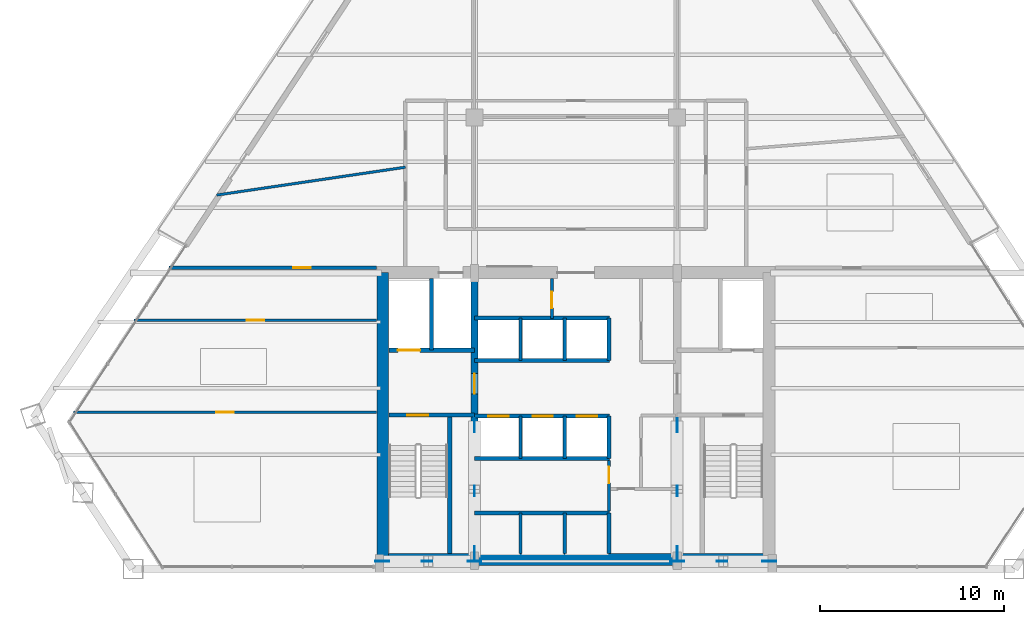
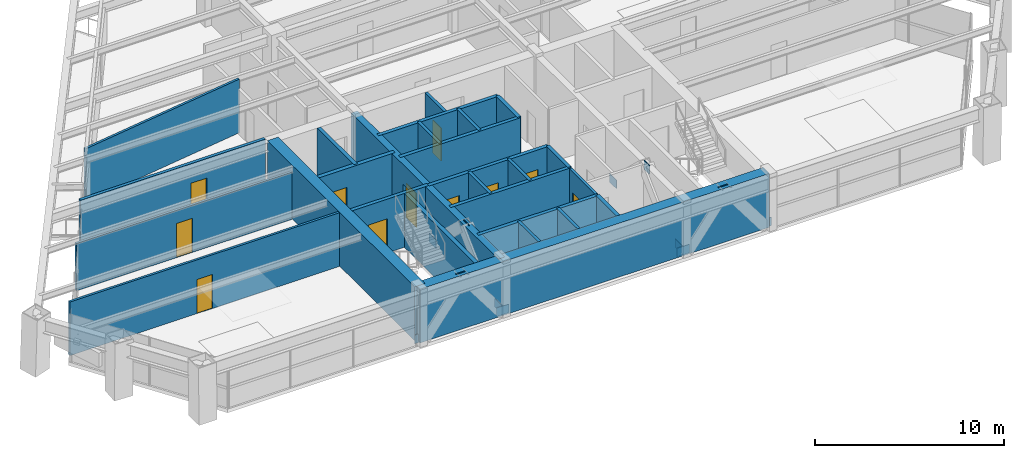
# One storey, part 10 of 14: 27 walls, 12 plates, 11 doors, 11 openings.
"""IFC4 building model written with IfcOpenShell, lengths in metres."""

from ifc_helpers import new_model, si_unit, direction, frame, frame_2d, origin, origin_2d, place, context, subcontext, project, spatial, rectangle, extrude, source, transform, mapped, material, layer, layer_set, type_object, type_shapes, element, fill, save


model = new_model("IFC4")

# Units and contexts
model_context = context("Model", 3, precision=1e-05, world=origin(), true_north=direction((0.0, 1.0)))
body_context = subcontext(model_context, "Body", "Model", "MODEL_VIEW")
ifc_project = project(units=[si_unit("LENGTHUNIT", "METRE"), si_unit("AREAUNIT", "SQUARE_METRE"), si_unit("VOLUMEUNIT", "CUBIC_METRE"), si_unit("PLANEANGLEUNIT", "RADIAN"), si_unit("MASSUNIT", "GRAM", prefix="KILO")], contexts=[model_context])

# Site, building, storey
site_placement = place(None, origin())
site = spatial("IfcSite", under=ifc_project, at=site_placement, CompositionType="ELEMENT")
building_placement = place(site_placement, origin())
building = spatial("IfcBuilding", under=site, at=building_placement, Name="Varnakhor Terracotta Tower", CompositionType="ELEMENT")
storey_placement = place(building_placement, frame((0.0, 0.0, 125.60009765625)))
storey = spatial("IfcBuildingStorey", under=building, at=storey_placement, Name="L31", CompositionType="ELEMENT", Elevation=125.60009765625)

# Plates
ifc_material_1 = material(Name="Steel S460", Category="steel")
ifc_layer_1 = layer(ifc_material_1, 0.050048828125, Name="Steel S460")
ifc_layer_set_1 = layer_set([ifc_layer_1], Name="Steel S460")
plate_type = type_object("IfcPlateType", Name="PLT-GUSSET-50", PredefinedType="USERDEFINED", material=ifc_layer_set_1)
shared_shape_1 = source(origin(), body_context, "Body", "SweptSolid", [
    extrude(rectangle(XDim=0.75, YDim=0.0400390625, at=origin_2d()), origin(), (0.0, 0.0, 1.0), 0.550048828125),
])
type_shapes(plate_type, [shared_shape_1])
for number, where, z_axis, x_axis, name in (
    (1, (-10.5, 0.419921875, -0.09521484375), (0.0, 0.0, 1.0), (1.0, 0.0, 0.0), "L31 Core Brace Embed Plate CSWA"),
    (2, (-5.5, 0.419921875, -0.09521484375), (0.0, 0.0, 1.0), (1.0, 0.0, 0.0), "L31 Core Brace Embed Plate CSWB"),
    (3, (5.5, 0.419921875, -0.09521484375), (0.0, 0.0, 1.0), (1.0, 0.0, 0.0), "L31 Core Brace Embed Plate CSEA"),
    (4, (10.5, 0.419921875, -0.09521484375), (0.0, 0.0, 1.0), (1.0, 0.0, 0.0), "L31 Core Brace Embed Plate CSEB"),
    (5, (-5.5, 0.85009765625, -0.09521484375), (0.0, 0.0, 1.0), (0.0, 1.0, 0.0), "L31 Core Brace Embed Plate CWWA"),
    (6, (-5.5, 7.800048828125, -0.09521484375), (0.0, 0.0, 1.0), (0.0, 1.0, 0.0), "L31 Core Brace Embed Plate CWWB"),
    (7, (5.5, 0.85009765625, -0.09521484375), (0.0, 0.0, 1.0), (0.0, 1.0, 0.0), "L31 Core Brace Embed Plate CWEA"),
    (8, (5.5, 7.800048828125, -0.09521484375), (0.0, 0.0, 1.0), (0.0, 1.0, 0.0), "L31 Core Brace Embed Plate CWEB"),
):
    element("IfcPlate", number, at=place(storey_placement, frame(where, z_axis=z_axis, x_axis=x_axis)), inside=storey, type_object=plate_type, Name=name, ObjectType="GUSSET PLATE", PredefinedType="USERDEFINED", context=body_context, shape_type="MappedRepresentation", body=[
        mapped(shared_shape_1, transform((0.0, 0.0, 0.0), scale=1.0)),
    ])
shared_shape_2 = source(origin(), body_context, "Body", "SweptSolid", [
    extrude(rectangle(XDim=0.580078125, YDim=0.0400390625, at=origin_2d()), origin(), (0.0, 0.0, 1.0), 0.580078125),
])
for number, where, z_axis, x_axis, name in (
    (9, (-8.072265625, 0.419921875, 2.93408203125), (0.0, 0.0, 1.0), (1.0, 0.0, 0.0), "L31 Brace End Connection Plate 112"),
    (10, (7.927734375, 0.419921875, 2.93408203125), (0.0, 0.0, 1.0), (1.0, 0.0, 0.0), "L31 Brace End Connection Plate 113"),
    (11, (-5.5, 4.23828125, 2.947021484375), (0.0, 0.0, 1.0), (0.0, 1.0, 0.0), "L31 Brace End Connection Plate 114"),
    (12, (5.5, 4.23828125, 2.947021484375), (0.0, 0.0, 1.0), (0.0, 1.0, 0.0), "L31 Brace End Connection Plate 115"),
):
    element("IfcPlate", number, at=place(storey_placement, frame(where, z_axis=z_axis, x_axis=x_axis)), inside=storey, type_object=plate_type, Name=name, ObjectType="GUSSET PLATE", PredefinedType="USERDEFINED", context=body_context, shape_type="MappedRepresentation", body=[
        mapped(shared_shape_2, transform((0.0, 0.0, 0.0), scale=1.0)),
    ])

# Walls
ifc_material_2 = material(Name="Concrete C50/60", Category="concrete")
ifc_layer_2 = layer(ifc_material_2, 0.64990234375, Name="Concrete C50/60")
ifc_layer_set_2 = layer_set([ifc_layer_2], Name="Concrete C50/60")
wall_type_1 = type_object("IfcWallType", Name="WAL-CORE-650", PredefinedType="SHEAR", material=ifc_layer_set_2)
wall_1_placement = place(storey_placement, frame((-10.64990234375, 0.52490234375, 0.0), z_axis=(0.0, 0.0, 1.0), x_axis=(1.0, 0.0, 0.0)))
element("IfcWall", 13, at=wall_1_placement, inside=storey, type_object=wall_type_1, Name="L31 South Core Shear Wall", PredefinedType="SHEAR", context=body_context, shape_type="SweptSolid", body=[
    extrude(rectangle(XDim=21.2998046875, YDim=0.64990234375, at=frame_2d((10.64990234375, 0.0))), origin(), (0.0, 0.0, 1.0), 3.469970703125),
])
wall_2_placement = place(storey_placement, frame((-10.47509765625, 0.52490234375, 0.0), z_axis=(0.0, 0.0, 1.0), x_axis=(0.0, 1.0, 0.0)))
element("IfcWall", 14, at=wall_2_placement, inside=storey, type_object=wall_type_1, Name="L31 West Core Shear Wall", PredefinedType="SHEAR", context=body_context, shape_type="SweptSolid", body=[
    extrude(rectangle(XDim=15.550048828125, YDim=0.64990234375, at=frame_2d((7.77490234375, 0.0))), origin(), (0.0, 0.0, 1.0), 3.469970703125),
])

# Wall, opening, door
ifc_layer_3 = layer(ifc_material_2, 0.39990234375, Name="Concrete C50/60")
ifc_layer_set_3 = layer_set([ifc_layer_3], Name="Concrete C50/60")
wall_type_2 = type_object("IfcWallType", Name="WAL-CORE-WEB-400", PredefinedType="SHEAR", material=ifc_layer_set_3)
wall_3_placement = place(storey_placement, frame((-5.5, 0.52490234375, 0.0), z_axis=(0.0, 0.0, 1.0), x_axis=(0.0, 1.0, 0.0)))
wall_3 = element("IfcWall", 15, at=wall_3_placement, inside=storey, type_object=wall_type_2, Name="L31 West Core Web Shear Wall", PredefinedType="SHEAR", context=body_context, shape_type="SweptSolid", body=[
    extrude(rectangle(XDim=15.550048828125, YDim=0.39990234375, at=frame_2d((7.77490234375, 0.0))), origin(), (0.0, 0.0, 1.0), 3.469970703125),
])
opening_1_placement = place(wall_3_placement, frame((8.97509765625, 0.0, 0.0)))
opening_1 = element("IfcOpeningElement", 16, at=opening_1_placement, cuts=wall_3, Name="Opening DR-25", PredefinedType="OPENING", context=body_context, shape_type="SweptSolid", body=[
    extrude(rectangle(XDim=1.10009765625, YDim=2.199951171875, at=frame_2d((0.550048828125, 1.10009765625))), frame((0.0, 0.2099609375, 0.0), z_axis=(0.0, -1.0, 0.0), x_axis=(1.0, 0.0, 0.0)), (0.0, 0.0, 1.0), 0.419921875),
])
ifc_material_3 = material(Name="Firefighting Lobby Self-Closing Fire Door", Category="steel")
door_type_1 = type_object("IfcDoorType", Name="DR-FFL-1100X2200", OperationType="NOTDEFINED", PredefinedType="DOOR", material=ifc_material_3)
shared_shape_3 = source(origin(), body_context, "Body", "SweptSolid", [
    extrude(rectangle(XDim=1.10009765625, YDim=2.199951171875, at=frame_2d((0.550048828125, 1.10009765625))), frame((0.0, 0.02490234375, 0.0), z_axis=(0.0, -1.0, 0.0), x_axis=(1.0, 0.0, 0.0)), (0.0, 0.0, 1.0), 0.050048828125),
])
type_shapes(door_type_1, [shared_shape_3])
door_1_placement = place(opening_1_placement, origin())
door_1 = element("IfcDoor", 17, at=door_1_placement, inside=storey, type_object=door_type_1, Name="L31 West Firefighting Lobby Door", OperationType="SINGLE_SWING_LEFT", OverallHeight=2.199951171875, OverallWidth=1.10009765625, PredefinedType="DOOR", context=body_context, shape_type="MappedRepresentation", body=[
    mapped(shared_shape_3, transform((0.0, 0.0, 0.0), scale=1.0)),
])
fill(opening_1, door_1)

ifc_material_4 = material(Name="Fire-Rated Gypsum Stud Partition", Category="gypsum")
ifc_layer_4 = layer(ifc_material_4, 0.18505859375, Name="Fire-Rated Gypsum Stud Partition")
ifc_layer_set_4 = layer_set([ifc_layer_4], Name="Fire-Rated Gypsum Stud Partition")
wall_type_3 = type_object("IfcWallType", Name="WAL-CORR-185", PredefinedType="PARTITIONING", material=ifc_layer_set_4)
wall_4_placement = place(storey_placement, frame((-22.0830078125, 16.35009765625, 0.0), z_axis=(0.0, 0.0, 1.0), x_axis=(1.0, 0.0, 0.0)))
wall_4 = element("IfcWall", 18, at=wall_4_placement, inside=storey, type_object=wall_type_3, Name="L31 South West Entry Wall", PredefinedType="PARTITIONING", context=body_context, shape_type="SweptSolid", body=[
    extrude(rectangle(XDim=11.262939453125, YDim=0.18505859375, at=frame_2d((5.63134765625, 0.0))), origin(), (0.0, 0.0, 1.0), 3.4619140625),
])
opening_2_placement = place(wall_4_placement, frame((6.743896484375, 0.0, 0.0)))
opening_2 = element("IfcOpeningElement", 19, at=opening_2_placement, cuts=wall_4, Name="Opening DR-94", PredefinedType="OPENING", context=body_context, shape_type="SweptSolid", body=[
    extrude(rectangle(XDim=0.949951171875, YDim=2.199951171875, at=frame_2d((0.47509765625, 1.10009765625))), frame((0.0, 0.1025390625, 0.0), z_axis=(0.0, -1.0, 0.0), x_axis=(1.0, 0.0, 0.0)), (0.0, 0.0, 1.0), 0.205078125),
])
ifc_material_5 = material(Name="Acoustic Glazed-Vision Timber Office Door", Category="wood")
door_type_2 = type_object("IfcDoorType", Name="DR-OFF-950X2200", OperationType="NOTDEFINED", PredefinedType="DOOR", material=ifc_material_5)
shared_shape_4 = source(origin(), body_context, "Body", "SweptSolid", [
    extrude(rectangle(XDim=0.949951171875, YDim=2.199951171875, at=frame_2d((0.47509765625, 1.10009765625))), frame((0.0, 0.02490234375, 0.0), z_axis=(0.0, -1.0, 0.0), x_axis=(1.0, 0.0, 0.0)), (0.0, 0.0, 1.0), 0.050048828125),
])
type_shapes(door_type_2, [shared_shape_4])
door_2_placement = place(opening_2_placement, origin())
door_2 = element("IfcDoor", 20, at=door_2_placement, inside=storey, type_object=door_type_2, Name="L31 SW Suite Door", OperationType="SINGLE_SWING_RIGHT", OverallHeight=2.199951171875, OverallWidth=0.949951171875, PredefinedType="DOOR", context=body_context, shape_type="MappedRepresentation", body=[
    mapped(shared_shape_4, transform((0.0, 0.0, 0.0), scale=1.0)),
])
fill(opening_2, door_2)

ifc_material_6 = material(Name="Concrete C40/50", Category="concrete")
ifc_layer_5 = layer(ifc_material_6, 0.219970703125, Name="Concrete C40/50")
ifc_layer_set_5 = layer_set([ifc_layer_5], Name="Concrete C40/50")
wall_type_4 = type_object("IfcWallType", Name="WAL-FFLOBBY-220", PredefinedType="SOLIDWALL", material=ifc_layer_set_5)
wall_5_placement = place(storey_placement, frame((-5.5, 8.35009765625, 0.0), z_axis=(0.0, 0.0, 1.0), x_axis=(-1.0, 0.0, 0.0)))
wall_5 = element("IfcWall", 21, at=wall_5_placement, inside=storey, type_object=wall_type_4, Name="L31 West Firefighting Lobby Stair Wall", PredefinedType="SOLIDWALL", context=body_context, shape_type="SweptSolid", body=[
    extrude(rectangle(XDim=4.64990234375, YDim=0.219970703125, at=frame_2d((2.324951171875, 0.0))), origin(), (0.0, 0.0, 1.0), 3.469970703125),
])
opening_3_placement = place(wall_5_placement, frame((2.5, 0.0, 0.0)))
opening_3 = element("IfcOpeningElement", 22, at=opening_3_placement, cuts=wall_5, Name="Opening DR-34", PredefinedType="OPENING", context=body_context, shape_type="SweptSolid", body=[
    extrude(rectangle(XDim=1.14990234375, YDim=2.199951171875, at=frame_2d((0.574951171875, 1.10009765625))), frame((0.0, 0.1201171875, 0.0), z_axis=(0.0, -1.0, 0.0), x_axis=(1.0, 0.0, 0.0)), (0.0, 0.0, 1.0), 0.239990234375),
])
ifc_material_7 = material(Name="Self-Closing Smoke-Sealed Steel Fire Door", Category="steel")
door_type_3 = type_object("IfcDoorType", Name="DR-STAIR-1150X2200", OperationType="NOTDEFINED", PredefinedType="DOOR", material=ifc_material_7)
shared_shape_5 = source(origin(), body_context, "Body", "SweptSolid", [
    extrude(rectangle(XDim=1.14990234375, YDim=2.199951171875, at=frame_2d((0.574951171875, 1.10009765625))), frame((0.0, 0.02490234375, 0.0), z_axis=(0.0, -1.0, 0.0), x_axis=(1.0, 0.0, 0.0)), (0.0, 0.0, 1.0), 0.050048828125),
])
type_shapes(door_type_3, [shared_shape_5])
door_3_placement = place(opening_3_placement, origin())
door_3 = element("IfcDoor", 23, at=door_3_placement, inside=storey, type_object=door_type_3, Name="L31 Exit Stair ST-1 Fire Door", OperationType="SINGLE_SWING_RIGHT", OverallHeight=2.199951171875, OverallWidth=1.14990234375, PredefinedType="DOOR", context=body_context, shape_type="MappedRepresentation", body=[
    mapped(shared_shape_5, transform((0.0, 0.0, 0.0), scale=1.0)),
])
fill(opening_3, door_3)

ifc_material_8 = material(Name="Acoustic Metal-Stud Partition", Category="gypsum")
ifc_layer_6 = layer(ifc_material_8, 0.139892578125, Name="Acoustic Metal-Stud Partition")
ifc_layer_set_6 = layer_set([ifc_layer_6], Name="Acoustic Metal-Stud Partition")
wall_type_5 = type_object("IfcWallType", Name="WAL-PART-140", PredefinedType="PARTITIONING", material=ifc_layer_set_6)
wall_6_placement = place(storey_placement, frame((-27.257568359375, 8.5, 0.0), z_axis=(0.0, 0.0, 1.0), x_axis=(1.0, 0.0, 0.0)))
wall_6 = element("IfcWall", 24, at=wall_6_placement, inside=storey, type_object=wall_type_5, Name="L31 West Wing Cut 1", PredefinedType="PARTITIONING", context=body_context, shape_type="SweptSolid", body=[
    extrude(rectangle(XDim=16.4375, YDim=0.139892578125, at=frame_2d((8.21875, 0.0))), origin(), (0.0, 0.0, 1.0), 3.4619140625),
])
opening_4_placement = place(wall_6_placement, frame((7.754150390625, 0.0, 0.0)))
opening_4 = element("IfcOpeningElement", 25, at=opening_4_placement, cuts=wall_6, Name="Opening DR-94", PredefinedType="OPENING", context=body_context, shape_type="SweptSolid", body=[
    extrude(rectangle(XDim=0.949951171875, YDim=2.199951171875, at=frame_2d((0.47509765625, 1.10009765625))), frame((0.0, 0.080078125, 0.0), z_axis=(0.0, -1.0, 0.0), x_axis=(1.0, 0.0, 0.0)), (0.0, 0.0, 1.0), 0.159912109375),
])
door_4_placement = place(opening_4_placement, origin())
door_4 = element("IfcDoor", 26, at=door_4_placement, inside=storey, type_object=door_type_2, Name="L31 Admin Office 5 Door", OperationType="SINGLE_SWING_RIGHT", OverallHeight=2.199951171875, OverallWidth=0.949951171875, PredefinedType="DOOR", context=body_context, shape_type="MappedRepresentation", body=[
    mapped(shared_shape_4, transform((0.0, 0.0, 0.0), scale=1.0)),
])
fill(opening_4, door_4)

wall_7_placement = place(storey_placement, frame((-23.961669921875, 13.5, 0.0), z_axis=(0.0, 0.0, 1.0), x_axis=(1.0, 0.0, 0.0)))
wall_7 = element("IfcWall", 27, at=wall_7_placement, inside=storey, type_object=wall_type_5, Name="L31 West Wing Cut 2", PredefinedType="PARTITIONING", context=body_context, shape_type="SweptSolid", body=[
    extrude(rectangle(XDim=13.1416015625, YDim=0.139892578125, at=frame_2d((6.57080078125, 0.0))), origin(), (0.0, 0.0, 1.0), 3.048828125),
])
opening_5_placement = place(wall_7_placement, frame((6.106201171875, 0.0, 0.0)))
opening_5 = element("IfcOpeningElement", 28, at=opening_5_placement, cuts=wall_7, Name="Opening DR-94", PredefinedType="OPENING", context=body_context, shape_type="SweptSolid", body=[
    extrude(rectangle(XDim=0.949951171875, YDim=2.199951171875, at=frame_2d((0.47509765625, 1.10009765625))), frame((0.0, 0.080078125, 0.0), z_axis=(0.0, -1.0, 0.0), x_axis=(1.0, 0.0, 0.0)), (0.0, 0.0, 1.0), 0.159912109375),
])
door_5_placement = place(opening_5_placement, origin())
door_5 = element("IfcDoor", 29, at=door_5_placement, inside=storey, type_object=door_type_2, Name="L31 Corporate Office E2 B3 Door", OperationType="SINGLE_SWING_LEFT", OverallHeight=2.199951171875, OverallWidth=0.949951171875, PredefinedType="DOOR", context=body_context, shape_type="MappedRepresentation", body=[
    mapped(shared_shape_4, transform((0.0, 0.0, 0.0), scale=1.0)),
])
fill(opening_5, door_5)

# Walls
wall_8_placement = place(storey_placement, frame((-19.48681640625, 20.288330078125, 0.0), z_axis=(0.0, 0.0, 1.0), x_axis=(0.989271254503, 0.146090331693, 0.0)))
element("IfcWall", 30, at=wall_8_placement, inside=storey, type_object=wall_type_5, Name="L31 West Wing Cut 3", PredefinedType="PARTITIONING", context=body_context, shape_type="SweptSolid", body=[
    extrude(rectangle(XDim=10.347900390625, YDim=0.139892578125, at=frame_2d((5.173828125, 0.0))), origin(), (0.0, 0.0, 1.0), 3.4619140625),
])
ifc_layer_7 = layer(ifc_material_6, 0.179931640625, Name="Concrete C40/50")
ifc_layer_set_7 = layer_set([ifc_layer_7], Name="Concrete C40/50")
wall_type_6 = type_object("IfcWallType", Name="WAL-SHAFT-180", PredefinedType="SOLIDWALL", material=ifc_layer_set_7)
for number, where, z_axis, x_axis, name in (
    (31, (-3.0, 0.85009765625, 0.0), (0.0, 0.0, 1.0), (0.0, 1.0, 0.0), "L31 PL-1A Divider"),
    (32, (-0.60009765625, 0.85009765625, 0.0), (0.0, 0.0, 1.0), (0.0, 1.0, 0.0), "L31 PL-1B Divider"),
):
    element("IfcWall", number, at=place(storey_placement, frame(where, z_axis=z_axis, x_axis=x_axis)), inside=storey, type_object=wall_type_6, Name=name, PredefinedType="SOLIDWALL", context=body_context, shape_type="SweptSolid", body=[
        extrude(rectangle(XDim=2.199951171875, YDim=0.179931640625, at=frame_2d((1.10009765625, 0.0))), origin(), (0.0, 0.0, 1.0), 3.469970703125),
    ])
for number, where, z_axis, x_axis, name in (
    (33, (-3.0, 6.0, 0.0), (0.0, 0.0, 1.0), (0.0, 1.0, 0.0), "L31 PL-2A Divider"),
    (34, (-0.60009765625, 6.0, 0.0), (0.0, 0.0, 1.0), (0.0, 1.0, 0.0), "L31 PL-2B Divider"),
    (35, (-3.0, 11.320068359375, 0.0), (0.0, 0.0, 1.0), (0.0, 1.0, 0.0), "L31 PL-3A Divider"),
    (36, (-0.60009765625, 11.320068359375, 0.0), (0.0, 0.0, 1.0), (0.0, 1.0, 0.0), "L31 PL-3B Divider"),
):
    element("IfcWall", number, at=place(storey_placement, frame(where, z_axis=z_axis, x_axis=x_axis)), inside=storey, type_object=wall_type_6, Name=name, PredefinedType="SOLIDWALL", context=body_context, shape_type="SweptSolid", body=[
        extrude(rectangle(XDim=2.300048828125, YDim=0.179931640625, at=frame_2d((1.14990234375, 0.0))), origin(), (0.0, 0.0, 1.0), 3.469970703125),
    ])
ifc_layer_8 = layer(ifc_material_6, 0.219970703125, Name="Concrete C40/50")
ifc_layer_set_8 = layer_set([ifc_layer_8], Name="Concrete C40/50")
wall_type_7 = type_object("IfcWallType", Name="WAL-SHAFT-220", PredefinedType="SOLIDWALL", material=ifc_layer_set_8)
wall_9_placement = place(storey_placement, frame((-7.840087890625, 11.8701171875, 0.0), z_axis=(0.0, 0.0, 1.0), x_axis=(0.0, 1.0, 0.0)))
element("IfcWall", 37, at=wall_9_placement, inside=storey, type_object=wall_type_7, Name="L31 Lift FFL-1 and SVL-1 Divider Wall", PredefinedType="SOLIDWALL", context=body_context, shape_type="SweptSolid", body=[
    extrude(rectangle(XDim=3.8798828125, YDim=0.219970703125, at=frame_2d((1.93994140625, 0.0))), origin(), (0.0, 0.0, 1.0), 3.469970703125),
])
wall_10_placement = place(storey_placement, frame((-5.5, 3.050048828125, 0.0), z_axis=(0.0, 0.0, 1.0), x_axis=(1.0, 0.0, 0.0)))
element("IfcWall", 38, at=wall_10_placement, inside=storey, type_object=wall_type_7, Name="L31 Bank 1 Lift Shaft Wall", PredefinedType="SOLIDWALL", context=body_context, shape_type="SweptSolid", body=[
    extrude(rectangle(XDim=7.320068359375, YDim=0.219970703125, at=frame_2d((3.66015625, 0.0))), origin(), (0.0, 0.0, 1.0), 3.469970703125),
])
wall_11_placement = place(storey_placement, frame((1.800048828125, 0.85009765625, 0.0), z_axis=(0.0, 0.0, 1.0), x_axis=(0.0, 1.0, 0.0)))
element("IfcWall", 39, at=wall_11_placement, inside=storey, type_object=wall_type_7, Name="L31 Bank 1 East Shaft Wall", PredefinedType="SOLIDWALL", context=body_context, shape_type="SweptSolid", body=[
    extrude(rectangle(XDim=2.199951171875, YDim=0.219970703125, at=frame_2d((1.10009765625, 0.0))), origin(), (0.0, 0.0, 1.0), 3.469970703125),
])
wall_12_placement = place(storey_placement, frame((-5.5, 6.0, 0.0), z_axis=(0.0, 0.0, 1.0), x_axis=(1.0, 0.0, 0.0)))
element("IfcWall", 40, at=wall_12_placement, inside=storey, type_object=wall_type_7, Name="L31 Bank 2 South Shaft Wall", PredefinedType="SOLIDWALL", context=body_context, shape_type="SweptSolid", body=[
    extrude(rectangle(XDim=7.320068359375, YDim=0.219970703125, at=frame_2d((3.66015625, 0.0))), origin(), (0.0, 0.0, 1.0), 3.469970703125),
])

# Wall, openings, doors
wall_13_placement = place(storey_placement, frame((-5.5, 8.300048828125, 0.0), z_axis=(0.0, 0.0, 1.0), x_axis=(1.0, 0.0, 0.0)))
wall_13 = element("IfcWall", 41, at=wall_13_placement, inside=storey, type_object=wall_type_7, Name="L31 Bank 2 North Shaft Wall", PredefinedType="SOLIDWALL", context=body_context, shape_type="SweptSolid", body=[
    extrude(rectangle(XDim=7.320068359375, YDim=0.219970703125, at=frame_2d((3.66015625, 0.0))), origin(), (0.0, 0.0, 1.0), 3.469970703125),
])
opening_6_placement = place(wall_13_placement, frame((0.75, 0.0, 0.0)))
opening_6 = element("IfcOpeningElement", 42, at=opening_6_placement, cuts=wall_13, Name="Opening LD-01", PredefinedType="OPENING", context=body_context, shape_type="SweptSolid", body=[
    extrude(rectangle(XDim=1.10009765625, YDim=2.199951171875, at=frame_2d((0.550048828125, 1.10009765625))), frame((0.0, 0.1201171875, 0.0), z_axis=(0.0, -1.0, 0.0), x_axis=(1.0, 0.0, 0.0)), (0.0, 0.0, 1.0), 0.239990234375),
])
opening_7_placement = place(wall_13_placement, frame((3.14990234375, 0.0, 0.0)))
opening_7 = element("IfcOpeningElement", 43, at=opening_7_placement, cuts=wall_13, Name="Opening LD-01", PredefinedType="OPENING", context=body_context, shape_type="SweptSolid", body=[
    extrude(rectangle(XDim=1.10009765625, YDim=2.199951171875, at=frame_2d((0.550048828125, 1.10009765625))), frame((0.0, 0.1201171875, 0.0), z_axis=(0.0, -1.0, 0.0), x_axis=(1.0, 0.0, 0.0)), (0.0, 0.0, 1.0), 0.239990234375),
])
opening_8_placement = place(wall_13_placement, frame((5.550048828125, 0.0, 0.0)))
opening_8 = element("IfcOpeningElement", 44, at=opening_8_placement, cuts=wall_13, Name="Opening LD-01", PredefinedType="OPENING", context=body_context, shape_type="SweptSolid", body=[
    extrude(rectangle(XDim=1.10009765625, YDim=2.199951171875, at=frame_2d((0.550048828125, 1.10009765625))), frame((0.0, 0.1201171875, 0.0), z_axis=(0.0, -1.0, 0.0), x_axis=(1.0, 0.0, 0.0)), (0.0, 0.0, 1.0), 0.239990234375),
])
ifc_material_9 = material(Name="Brushed Stainless Steel Sliding Lift Landing Door", Category="steel")
door_type_4 = type_object("IfcDoorType", Name="LD-PASS-1100X2200", OperationType="NOTDEFINED", PredefinedType="DOOR", material=ifc_material_9)
shared_shape_6 = source(origin(), body_context, "Body", "SweptSolid", [
    extrude(rectangle(XDim=1.10009765625, YDim=2.199951171875, at=frame_2d((0.550048828125, 1.10009765625))), frame((0.0, 0.02490234375, 0.0), z_axis=(0.0, -1.0, 0.0), x_axis=(1.0, 0.0, 0.0)), (0.0, 0.0, 1.0), 0.050048828125),
])
type_shapes(door_type_4, [shared_shape_6])
door_6_placement = place(opening_6_placement, origin())
door_6 = element("IfcDoor", 45, at=door_6_placement, inside=storey, type_object=door_type_4, Name="L31 Passenger Lift PL-2A Landing Door", OperationType="SLIDING_TO_LEFT", OverallHeight=2.199951171875, OverallWidth=1.10009765625, PredefinedType="DOOR", context=body_context, shape_type="MappedRepresentation", body=[
    mapped(shared_shape_6, transform((0.0, 0.0, 0.0), scale=1.0)),
])
fill(opening_6, door_6)
door_7_placement = place(opening_7_placement, origin())
door_7 = element("IfcDoor", 46, at=door_7_placement, inside=storey, type_object=door_type_4, Name="L31 Passenger Lift PL-2B Landing Door", OperationType="SLIDING_TO_LEFT", OverallHeight=2.199951171875, OverallWidth=1.10009765625, PredefinedType="DOOR", context=body_context, shape_type="MappedRepresentation", body=[
    mapped(shared_shape_6, transform((0.0, 0.0, 0.0), scale=1.0)),
])
fill(opening_7, door_7)
door_8_placement = place(opening_8_placement, origin())
door_8 = element("IfcDoor", 47, at=door_8_placement, inside=storey, type_object=door_type_4, Name="L31 Passenger Lift PL-2C Landing Door", OperationType="SLIDING_TO_LEFT", OverallHeight=2.199951171875, OverallWidth=1.10009765625, PredefinedType="DOOR", context=body_context, shape_type="MappedRepresentation", body=[
    mapped(shared_shape_6, transform((0.0, 0.0, 0.0), scale=1.0)),
])
fill(opening_8, door_8)

# Walls
wall_14_placement = place(storey_placement, frame((1.800048828125, 6.0, 0.0), z_axis=(0.0, 0.0, 1.0), x_axis=(0.0, 1.0, 0.0)))
element("IfcWall", 48, at=wall_14_placement, inside=storey, type_object=wall_type_7, Name="L31 Bank 2 East Shaft Wall", PredefinedType="SOLIDWALL", context=body_context, shape_type="SweptSolid", body=[
    extrude(rectangle(XDim=2.300048828125, YDim=0.219970703125, at=frame_2d((1.14990234375, 0.0))), origin(), (0.0, 0.0, 1.0), 3.469970703125),
])
for number, where, z_axis, x_axis, name in (
    (49, (-5.5, 11.320068359375, 0.0), (0.0, 0.0, 1.0), (1.0, 0.0, 0.0), "L31 Bank 3 South Shaft Wall"),
    (50, (-5.5, 13.6201171875, 0.0), (0.0, 0.0, 1.0), (1.0, 0.0, 0.0), "L31 Bank 3 North Shaft Wall"),
):
    element("IfcWall", number, at=place(storey_placement, frame(where, z_axis=z_axis, x_axis=x_axis)), inside=storey, type_object=wall_type_7, Name=name, PredefinedType="SOLIDWALL", context=body_context, shape_type="SweptSolid", body=[
        extrude(rectangle(XDim=7.320068359375, YDim=0.219970703125, at=frame_2d((3.66015625, 0.0))), origin(), (0.0, 0.0, 1.0), 3.469970703125),
    ])
wall_15_placement = place(storey_placement, frame((1.800048828125, 11.320068359375, 0.0), z_axis=(0.0, 0.0, 1.0), x_axis=(0.0, 1.0, 0.0)))
element("IfcWall", 51, at=wall_15_placement, inside=storey, type_object=wall_type_7, Name="L31 Bank 3 East Shaft Wall", PredefinedType="SOLIDWALL", context=body_context, shape_type="SweptSolid", body=[
    extrude(rectangle(XDim=2.300048828125, YDim=0.219970703125, at=frame_2d((1.14990234375, 0.0))), origin(), (0.0, 0.0, 1.0), 3.469970703125),
])
ifc_layer_9 = layer(ifc_material_6, 0.25, Name="Concrete C40/50")
ifc_layer_set_9 = layer_set([ifc_layer_9], Name="Concrete C40/50")
wall_type_8 = type_object("IfcWallType", Name="WAL-SHAFT-250", PredefinedType="SOLIDWALL", material=ifc_layer_set_9)
wall_16_placement = place(storey_placement, frame((-6.85009765625, 0.85009765625, 0.0), z_axis=(0.0, 0.0, 1.0), x_axis=(0.0, 1.0, 0.0)))
element("IfcWall", 52, at=wall_16_placement, inside=storey, type_object=wall_type_8, Name="L31 Stair ST-1 Bearing Shaft Wall", PredefinedType="SOLIDWALL", context=body_context, shape_type="SweptSolid", body=[
    extrude(rectangle(XDim=7.5, YDim=0.25, at=frame_2d((3.75, 0.0))), origin(), (0.0, 0.0, 1.0), 3.469970703125),
])

# Wall, opening, door
wall_17_placement = place(storey_placement, frame((-5.5, 11.8701171875, 0.0), z_axis=(0.0, 0.0, 1.0), x_axis=(-1.0, 0.0, 0.0)))
wall_17 = element("IfcWall", 53, at=wall_17_placement, inside=storey, type_object=wall_type_8, Name="L31 Lift FFL-1 Shaft Front Wall", PredefinedType="SOLIDWALL", context=body_context, shape_type="SweptSolid", body=[
    extrude(rectangle(XDim=4.64990234375, YDim=0.25, at=frame_2d((2.324951171875, 0.0))), origin(), (0.0, 0.0, 1.0), 3.469970703125),
])
opening_9_placement = place(wall_17_placement, frame((2.949951171875, 0.0, 0.0)))
opening_9 = element("IfcOpeningElement", 54, at=opening_9_placement, cuts=wall_17, Name="Opening LD-02", PredefinedType="OPENING", context=body_context, shape_type="SweptSolid", body=[
    extrude(rectangle(XDim=1.199951171875, YDim=2.25, at=frame_2d((0.60009765625, 1.125))), frame((0.0, 0.135009765625, 0.0), z_axis=(0.0, -1.0, 0.0), x_axis=(1.0, 0.0, 0.0)), (0.0, 0.0, 1.0), 0.27001953125),
])
ifc_material_10 = material(Name="Firefighting Stretcher Sliding Lift Landing Door", Category="steel")
door_type_5 = type_object("IfcDoorType", Name="LD-FFL-1200X2250", OperationType="NOTDEFINED", PredefinedType="DOOR", material=ifc_material_10)
shared_shape_7 = source(origin(), body_context, "Body", "SweptSolid", [
    extrude(rectangle(XDim=1.199951171875, YDim=2.25, at=frame_2d((0.60009765625, 1.125))), frame((0.0, 0.02490234375, 0.0), z_axis=(0.0, -1.0, 0.0), x_axis=(1.0, 0.0, 0.0)), (0.0, 0.0, 1.0), 0.050048828125),
])
type_shapes(door_type_5, [shared_shape_7])
door_9_placement = place(opening_9_placement, origin())
door_9 = element("IfcDoor", 55, at=door_9_placement, inside=storey, type_object=door_type_5, Name="L31 Firefighting Lift FFL-1 Landing Door", OperationType="SLIDING_TO_LEFT", OverallHeight=2.25, OverallWidth=1.199951171875, PredefinedType="DOOR", context=body_context, shape_type="MappedRepresentation", body=[
    mapped(shared_shape_7, transform((0.0, 0.0, 0.0), scale=1.0)),
])
fill(opening_9, door_9)

ifc_material_11 = material(Name="Acoustic Fire-Rated Partition", Category="gypsum")
ifc_layer_10 = layer(ifc_material_11, 0.1650390625, Name="Acoustic Fire-Rated Partition")
ifc_layer_set_10 = layer_set([ifc_layer_10], Name="Acoustic Fire-Rated Partition")
wall_type_9 = type_object("IfcWallType", Name="WAL-TENANCY-165", PredefinedType="PARTITIONING", material=ifc_layer_set_10)
wall_18_placement = place(storey_placement, frame((1.800048828125, 3.159912109375, 0.0), z_axis=(0.0, 0.0, 1.0), x_axis=(0.0, 1.0, 0.0)))
wall_18 = element("IfcWall", 56, at=wall_18_placement, inside=storey, type_object=wall_type_9, Name="L31 Core Rated Service Wall", PredefinedType="PARTITIONING", context=body_context, shape_type="SweptSolid", body=[
    extrude(rectangle(XDim=2.719970703125, YDim=0.1650390625, at=frame_2d((1.35986328125, 0.0))), origin(), (0.0, 0.0, 1.0), 3.4619140625),
])
opening_10_placement = place(wall_18_placement, frame((1.5, 0.0, 0.0)))
opening_10 = element("IfcOpeningElement", 57, at=opening_10_placement, cuts=wall_18, Name="Opening DR-67", PredefinedType="OPENING", context=body_context, shape_type="SweptSolid", body=[
    extrude(rectangle(XDim=0.89990234375, YDim=2.10009765625, at=frame_2d((0.449951171875, 1.050048828125))), frame((0.0, 0.092529296875, 0.0), z_axis=(0.0, -1.0, 0.0), x_axis=(1.0, 0.0, 0.0)), (0.0, 0.0, 1.0), 0.18505859375),
])
ifc_material_12 = material(Name="Steel Service Riser Fire Door", Category="steel")
door_type_6 = type_object("IfcDoorType", Name="DR-RISER-900X2100", OperationType="NOTDEFINED", PredefinedType="DOOR", material=ifc_material_12)
shared_shape_8 = source(origin(), body_context, "Body", "SweptSolid", [
    extrude(rectangle(XDim=0.89990234375, YDim=2.10009765625, at=frame_2d((0.449951171875, 1.050048828125))), frame((0.0, 0.02490234375, 0.0), z_axis=(0.0, -1.0, 0.0), x_axis=(1.0, 0.0, 0.0)), (0.0, 0.0, 1.0), 0.050048828125),
])
type_shapes(door_type_6, [shared_shape_8])
door_10_placement = place(opening_10_placement, origin())
door_10 = element("IfcDoor", 58, at=door_10_placement, inside=storey, type_object=door_type_6, Name="L31 Core Store Fire Door", OperationType="SINGLE_SWING_RIGHT", OverallHeight=2.10009765625, OverallWidth=0.89990234375, PredefinedType="DOOR", context=body_context, shape_type="MappedRepresentation", body=[
    mapped(shared_shape_8, transform((0.0, 0.0, 0.0), scale=1.0)),
])
fill(opening_10, door_10)

wall_19_placement = place(storey_placement, frame((-1.300048828125, 13.60009765625, 0.0), z_axis=(0.0, 0.0, 1.0), x_axis=(0.0, 1.0, 0.0)))
wall_19 = element("IfcWall", 59, at=wall_19_placement, inside=storey, type_object=wall_type_9, Name="L31 Male Restroom Wall", PredefinedType="PARTITIONING", context=body_context, shape_type="SweptSolid", body=[
    extrude(rectangle(XDim=2.14990234375, YDim=0.1650390625, at=frame_2d((1.074951171875, 0.0))), origin(), (0.0, 0.0, 1.0), 3.4619140625),
])
opening_11_placement = place(wall_19_placement, frame((0.550048828125, 0.0, 0.0)))
opening_11 = element("IfcOpeningElement", 60, at=opening_11_placement, cuts=wall_19, Name="Opening DR-67", PredefinedType="OPENING", context=body_context, shape_type="SweptSolid", body=[
    extrude(rectangle(XDim=0.89990234375, YDim=2.10009765625, at=frame_2d((0.449951171875, 1.050048828125))), frame((0.0, 0.092529296875, 0.0), z_axis=(0.0, -1.0, 0.0), x_axis=(1.0, 0.0, 0.0)), (0.0, 0.0, 1.0), 0.18505859375),
])
door_11_placement = place(opening_11_placement, origin())
door_11 = element("IfcDoor", 61, at=door_11_placement, inside=storey, type_object=door_type_6, Name="L31 Male WC Door", OperationType="SINGLE_SWING_LEFT", OverallHeight=2.10009765625, OverallWidth=0.89990234375, PredefinedType="DOOR", context=body_context, shape_type="MappedRepresentation", body=[
    mapped(shared_shape_8, transform((0.0, 0.0, 0.0), scale=1.0)),
])
fill(opening_11, door_11)

save(model, "model.ifc")
